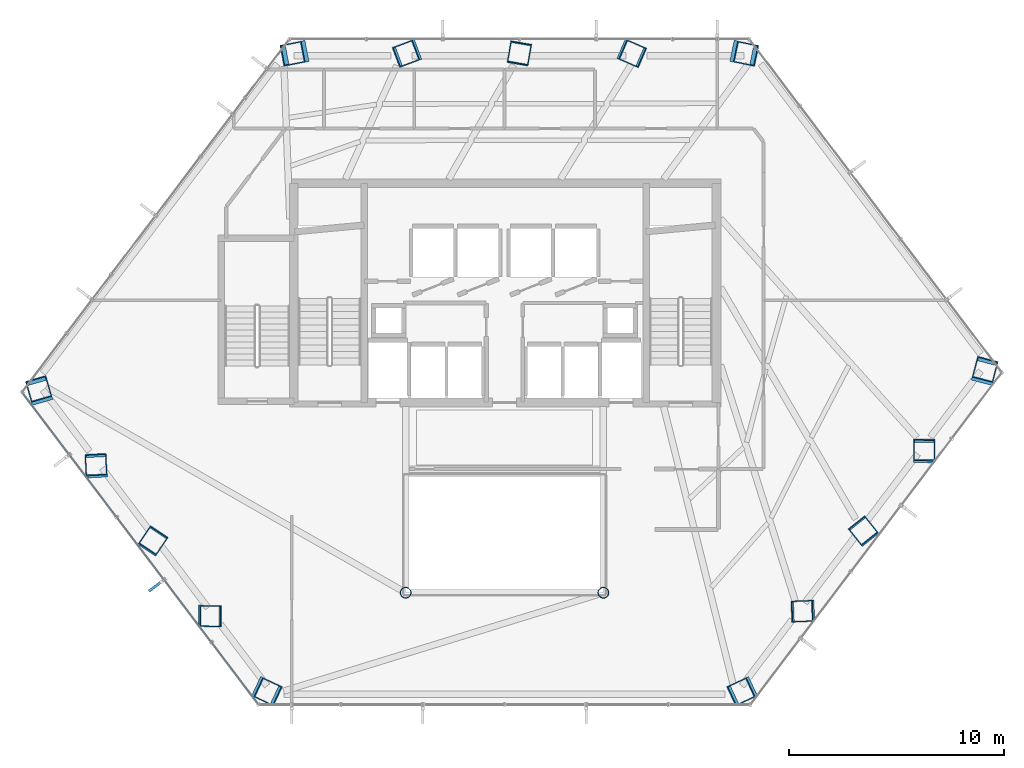
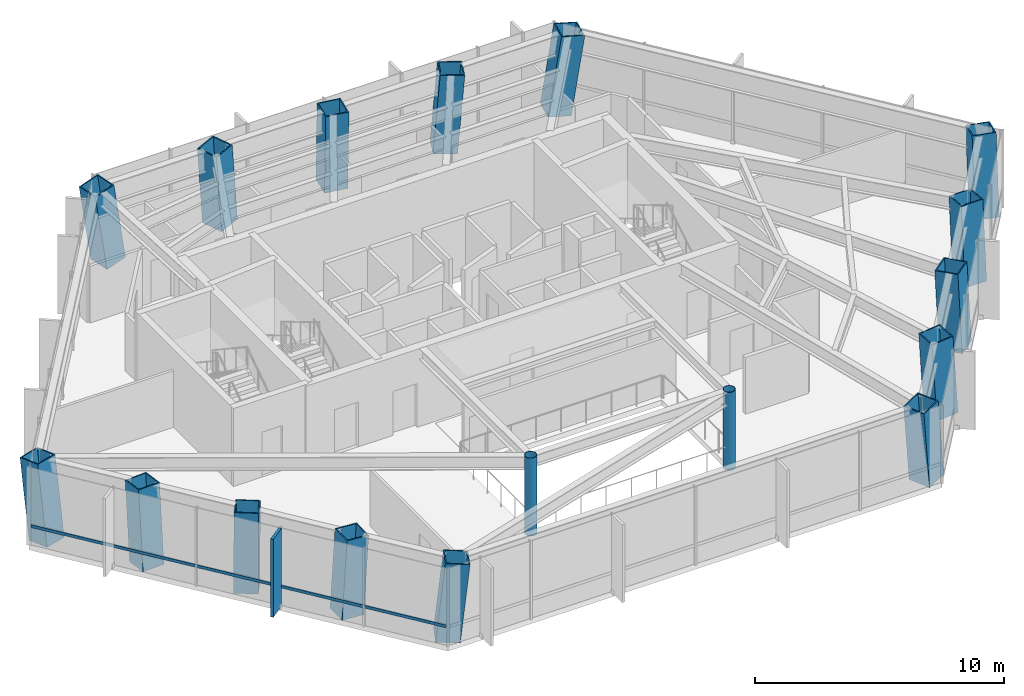
# One storey, part 1 of 26: 17 columns, 2 members, 1 element without a shape of its own.
"""IFC4 building model written with IfcOpenShell, lengths in metres."""

from ifc_helpers import new_model, si_unit, direction, frame, origin, origin_2d, place, context, subcontext, project, spatial, rectangle, hollow_rectangle, hollow_circle, extrude, material, layer, layer_set, material_profile, profile_set, type_object, element, aggregate, save


model = new_model("IFC4")

# Units and contexts
model_context = context("Model", 3, precision=1e-05, world=origin(), true_north=direction((0.0, 1.0)))
body_context = subcontext(model_context, "Body", "Model", "MODEL_VIEW")
ifc_project = project(units=[si_unit("LENGTHUNIT", "METRE"), si_unit("AREAUNIT", "SQUARE_METRE"), si_unit("VOLUMEUNIT", "CUBIC_METRE"), si_unit("PLANEANGLEUNIT", "RADIAN"), si_unit("MASSUNIT", "GRAM", prefix="KILO")], contexts=[model_context])

# Site, building, storey
site_placement = place(None, origin())
site = spatial("IfcSite", under=ifc_project, at=site_placement, CompositionType="ELEMENT")
building_placement = place(site_placement, origin())
building = spatial("IfcBuilding", under=site, at=building_placement, Name="Zarrinselat Tower", CompositionType="ELEMENT")
storey_placement = place(building_placement, frame((0.0, 0.0, 35.699951171875)))
storey = spatial("IfcBuildingStorey", under=building, at=storey_placement, Name="L08", CompositionType="ELEMENT", Elevation=35.699951171875)

# Columns
ifc_material_1 = material(Name="Steel S355J2", Category="steel")
ifc_material_profile_1 = material_profile(ifc_material_1, hollow_circle(Radius=0.25390625, WallThickness=0.02001953125, at=origin_2d()), Name="CHS 508x20")
ifc_profile_set_1 = profile_set([ifc_material_profile_1], Name="Steel S355J2")
column_type_1 = type_object("IfcColumnType", Name="COL-CHS508", PredefinedType="COLUMN", material=ifc_profile_set_1)
for number, where, z_axis, x_axis, name in (
    (1, (33.800048828125, 24.39990234375, 0.0), (0.0, 0.0, 1.0), (1.0, 0.0, 0.0), "L08 Atrium Corner Column 1"),
    (2, (43.0, 24.39990234375, 0.0), (0.0, 0.0, 1.0), (1.0, 0.0, 0.0), "L08 Atrium Corner Column 2"),
):
    element("IfcColumn", number, at=place(storey_placement, frame(where, z_axis=z_axis, x_axis=x_axis)), inside=storey, type_object=column_type_1, Name=name, PredefinedType="COLUMN", context=body_context, shape_type="SweptSolid", body=[
        extrude(hollow_circle(Radius=0.25390625, WallThickness=0.02001953125, at=origin_2d()), origin(), (0.0, 0.0, 1.0), 3.820068359375),
    ])
ifc_material_2 = material(Name="Steel S460M", Category="steel")
ifc_material_profile_2 = material_profile(ifc_material_2, hollow_rectangle(XDim=1.0, YDim=1.0, WallThickness=0.050048828125, at=origin_2d()), Name="SHS 1000x1000x50")
ifc_profile_set_2 = profile_set([ifc_material_profile_2], Name="Steel S460M")
column_type_2 = type_object("IfcColumnType", Name="COL-SHS1000", PredefinedType="COLUMN", material=ifc_profile_set_2)
column_1_placement = place(storey_placement, frame((49.46630859375, 49.510986328125, 0.0), z_axis=(0.144992669911, -0.030212073329, 0.988971362729), x_axis=(0.20398833749, 0.978973318415, 0.0)))
element("IfcColumn", 3, at=column_1_placement, inside=storey, type_object=column_type_2, Name="L08 Framed-Tube Column T01", PredefinedType="COLUMN", context=body_context, shape_type="SweptSolid", body=[
    extrude(hollow_rectangle(XDim=1.0, YDim=1.0, WallThickness=0.050048828125, at=origin_2d()), origin(), (0.0, 0.0, 1.0), 3.862548828125),
])
column_2_placement = place(storey_placement, frame((44.280517578125, 49.510986328125, 0.0), z_axis=(0.070412435261, -0.030458953896, 0.997052827632), x_axis=(0.397024619768, 0.917807959923, 0.0)))
element("IfcColumn", 4, at=column_2_placement, inside=storey, type_object=column_type_2, Name="L08 Framed-Tube Column T02", PredefinedType="COLUMN", context=body_context, shape_type="SweptSolid", body=[
    extrude(hollow_rectangle(XDim=1.0, YDim=1.0, WallThickness=0.050048828125, at=origin_2d()), origin(), (0.0, 0.0, 1.0), 3.831298828125),
])
column_3_placement = place(storey_placement, frame((39.094482421875, 49.510986328125, 0.0), z_axis=(-0.005301983226, -0.030534313034, 0.999519656986), x_axis=(0.98525710464, -0.171080208546, 0.0)))
element("IfcColumn", 5, at=column_3_placement, inside=storey, type_object=column_type_2, Name="L08 Framed-Tube Column T03", PredefinedType="COLUMN", context=body_context, shape_type="SweptSolid", body=[
    extrude(hollow_rectangle(XDim=1.0, YDim=1.0, WallThickness=0.050048828125, at=origin_2d()), origin(), (0.0, 0.0, 1.0), 3.822021484375),
])
column_4_placement = place(storey_placement, frame((33.908447265625, 49.510986328125, 0.0), z_axis=(-0.080925455569, -0.030434593047, 0.996255392049), x_axis=(0.352011028673, -0.935995852391, 0.0)))
element("IfcColumn", 6, at=column_4_placement, inside=storey, type_object=column_type_2, Name="L08 Framed-Tube Column T04", PredefinedType="COLUMN", context=body_context, shape_type="SweptSolid", body=[
    extrude(hollow_rectangle(XDim=1.0, YDim=1.0, WallThickness=0.050048828125, at=origin_2d()), origin(), (0.0, 0.0, 1.0), 3.83447265625),
])
column_5_placement = place(storey_placement, frame((28.722412109375, 49.510986328125, 0.0), z_axis=(-0.155178628338, -0.030164857399, 0.987425781862), x_axis=(0.190816234666, -0.981625776245, 0.0)))
element("IfcColumn", 7, at=column_5_placement, inside=storey, type_object=column_type_2, Name="L08 Framed-Tube Column T05", PredefinedType="COLUMN", context=body_context, shape_type="SweptSolid", body=[
    extrude(hollow_rectangle(XDim=1.0, YDim=1.0, WallThickness=0.050048828125, at=origin_2d()), origin(), (0.0, 0.0, 1.0), 3.86865234375),
])
column_6_placement = place(storey_placement, frame((16.768310546875, 33.7314453125, 0.0), z_axis=(-0.036615829664, 0.12701511847, 0.991224717558), x_axis=(-0.960870208701, -0.276998992833, 0.0)))
element("IfcColumn", 8, at=column_6_placement, inside=storey, type_object=column_type_2, Name="L08 Framed-Tube Column T06", PredefinedType="COLUMN", context=body_context, shape_type="SweptSolid", body=[
    extrude(hollow_rectangle(XDim=1.0, YDim=1.0, WallThickness=0.050048828125, at=origin_2d()), origin(), (0.0, 0.0, 1.0), 3.85400390625),
])
column_7_placement = place(storey_placement, frame((19.399169921875, 30.2587890625, 0.0), z_axis=(-0.004330178609, 0.084820557464, 0.996386833807), x_axis=(-0.998699436698, -0.050984655928, 0.0)))
element("IfcColumn", 9, at=column_7_placement, inside=storey, type_object=column_type_2, Name="L08 Framed-Tube Column T07", PredefinedType="COLUMN", context=body_context, shape_type="SweptSolid", body=[
    extrude(hollow_rectangle(XDim=1.0, YDim=1.0, WallThickness=0.050048828125, at=origin_2d()), origin(), (0.0, 0.0, 1.0), 3.833984375),
])
column_8_placement = place(storey_placement, frame((22.02978515625, 26.785888671875, 0.0), z_axis=(0.028211896517, 0.042126361315, 0.998713902265), x_axis=(-0.830886389581, 0.556442097265, 0.0)))
element("IfcColumn", 10, at=column_8_placement, inside=storey, type_object=column_type_2, Name="L08 Framed-Tube Column T08", PredefinedType="COLUMN", context=body_context, shape_type="SweptSolid", body=[
    extrude(hollow_rectangle(XDim=1.0, YDim=1.0, WallThickness=0.050048828125, at=origin_2d()), origin(), (0.0, 0.0, 1.0), 3.824951171875),
])
column_9_placement = place(storey_placement, frame((24.660888671875, 23.313232421875, 0.0), z_axis=(0.060666451583, -0.000893091821, 0.998157694976), x_axis=(0.01471975102, 0.999891658596, 0.0)))
element("IfcColumn", 11, at=column_9_placement, inside=storey, type_object=column_type_2, Name="L08 Framed-Tube Column T09", PredefinedType="COLUMN", context=body_context, shape_type="SweptSolid", body=[
    extrude(hollow_rectangle(XDim=1.0, YDim=1.0, WallThickness=0.050048828125, at=origin_2d()), origin(), (0.0, 0.0, 1.0), 3.8271484375),
])
for number, where, z_axis, x_axis, name in (
    (12, (27.291748046875, 19.84033203125, 0.0), (0.092879692396, -0.043610861727, 0.994721798032), (0.425021108102, 0.905183438684, 0.0), "L08 Framed-Tube Column T10"),
    (13, (49.50830078125, 19.84033203125, 0.0), (-0.092879692396, -0.043610861727, 0.994721798032), (0.425021108102, -0.905183438684, 0.0), "L08 Framed-Tube Column T11"),
):
    element("IfcColumn", number, at=place(storey_placement, frame(where, z_axis=z_axis, x_axis=x_axis)), inside=storey, type_object=column_type_2, Name=name, PredefinedType="COLUMN", context=body_context, shape_type="SweptSolid", body=[
        extrude(hollow_rectangle(XDim=1.0, YDim=1.0, WallThickness=0.050048828125, at=origin_2d()), origin(), (0.0, 0.0, 1.0), 3.84033203125),
    ])
column_10_placement = place(storey_placement, frame((52.312744140625, 23.542236328125, 0.0), z_axis=(-0.062000817911, -0.002551473988, 0.998072837301), x_axis=(0.041117461711, -0.999154319584, 0.0)))
element("IfcColumn", 14, at=column_10_placement, inside=storey, type_object=column_type_2, Name="L08 Framed-Tube Column T12", PredefinedType="COLUMN", context=body_context, shape_type="SweptSolid", body=[
    extrude(hollow_rectangle(XDim=1.0, YDim=1.0, WallThickness=0.050048828125, at=origin_2d()), origin(), (0.0, 0.0, 1.0), 3.827392578125),
])
column_11_placement = place(storey_placement, frame((55.1171875, 27.244384765625, 0.0), z_axis=(-0.030830900837, 0.03855458407, 0.998780756523), x_axis=(-0.780994943569, -0.624537347258, 0.0)))
element("IfcColumn", 15, at=column_11_placement, inside=storey, type_object=column_type_2, Name="L08 Framed-Tube Column T13", PredefinedType="COLUMN", context=body_context, shape_type="SweptSolid", body=[
    extrude(hollow_rectangle(XDim=1.0, YDim=1.0, WallThickness=0.050048828125, at=origin_2d()), origin(), (0.0, 0.0, 1.0), 3.82470703125),
])
column_12_placement = place(storey_placement, frame((57.921630859375, 30.9462890625, 0.0), z_axis=(0.000382242262, 0.079633804595, 0.996824112397), x_axis=(-0.999988480199, 0.004799944705, 0.0)))
element("IfcColumn", 16, at=column_12_placement, inside=storey, type_object=column_type_2, Name="L08 Framed-Tube Column T14", PredefinedType="COLUMN", context=body_context, shape_type="SweptSolid", body=[
    extrude(hollow_rectangle(XDim=1.0, YDim=1.0, WallThickness=0.050048828125, at=origin_2d()), origin(), (0.0, 0.0, 1.0), 3.832275390625),
])
column_13_placement = place(storey_placement, frame((60.726318359375, 34.648193359375, 0.0), z_axis=(0.031390255835, 0.120234192046, 0.992249157672), x_axis=(-0.967568480298, 0.252608859571, 0.0)))
element("IfcColumn", 17, at=column_13_placement, inside=storey, type_object=column_type_2, Name="L08 Framed-Tube Column T15", PredefinedType="COLUMN", context=body_context, shape_type="SweptSolid", body=[
    extrude(hollow_rectangle(XDim=1.0, YDim=1.0, WallThickness=0.050048828125, at=origin_2d()), origin(), (0.0, 0.0, 1.0), 3.849853515625),
])

# Curtain wall, members
ifc_material_3 = material(Name="Extruded Aluminium Alloy EN AW-6063 T6", Category="aluminium")
ifc_layer = layer(ifc_material_3, 0.18505859375)
ifc_layer_set = layer_set([ifc_layer], Name="Extruded Aluminium Alloy EN AW-6063 T6")
curtain_wall_type = type_object("IfcCurtainWallType", Name="CWS-OFF", PredefinedType="NOTDEFINED", material=ifc_layer_set)
curtain_wall_placement = place(storey_placement, origin())
curtain_wall = element("IfcCurtainWall", 18, at=curtain_wall_placement, inside=storey, type_object=curtain_wall_type, Name="L08 Unitised Curtain Wall CW-L08-E03", PredefinedType="NOTDEFINED")
ifc_material_4 = material(Name="Extruded Aluminium Alloy EN AW-6063 T6", Category="aluminium")
ifc_material_profile_3 = material_profile(ifc_material_4, hollow_rectangle(XDim=0.06005859375, YDim=0.139892578125, WallThickness=0.00390625, at=origin_2d()), Name="RHS 140x60x4")
ifc_profile_set_3 = profile_set([ifc_material_profile_3], Name="Extruded Aluminium Alloy EN AW-6063 T6")
member_type_1 = type_object("IfcMemberType", Name="MEM-CW-TRN", PredefinedType="USERDEFINED", material=ifc_profile_set_3)
member_1_placement = place(storey_placement, frame((16.007080078125, 33.659912109375, 0.949951171875), z_axis=(0.603853264047, -0.797095499611, 0.0), x_axis=(0.797095499611, 0.603853264047, 0.0)))
member_1 = element("IfcMember", 19, at=member_1_placement, type_object=member_type_1, Name="CW-L08-E03 Transom 1", ObjectType="TRANSOM", PredefinedType="USERDEFINED", context=body_context, shape_type="SweptSolid", body=[
    extrude(hollow_rectangle(XDim=0.06005859375, YDim=0.139892578125, WallThickness=0.00390625, at=origin_2d()), origin(), (0.0, 0.0, 1.0), 18.062744140625),
])
ifc_material_5 = material(Name="Honed Cream Travertine Stone", Category="masonry")
ifc_material_profile_4 = material_profile(ifc_material_5, rectangle(XDim=0.1201171875, YDim=0.85009765625, at=origin_2d()), Name="FIN 850x120")
ifc_profile_set_4 = profile_set([ifc_material_profile_4], Name="Honed Cream Travertine Stone")
member_type_2 = type_object("IfcMemberType", Name="MEM-STONE-FIN", PredefinedType="USERDEFINED", material=ifc_profile_set_4)
member_2_placement = place(storey_placement, frame((22.195556640625, 24.72900390625, 0.0), z_axis=(0.0, 0.0, 1.0), x_axis=(-0.603858215687, 0.797091748388, 0.0)))
member_2 = element("IfcMember", 20, at=member_2_placement, type_object=member_type_2, Name="L08 Stone Shading Fin CW-L08-E03-03", ObjectType="FIN", PredefinedType="USERDEFINED", context=body_context, shape_type="SweptSolid", body=[
    extrude(rectangle(XDim=0.1201171875, YDim=0.85009765625, at=origin_2d()), origin(), (0.0, 0.0, 1.0), 3.820068359375),
])
aggregate(curtain_wall, [member_2, member_1])

save(model, "model.ifc")
